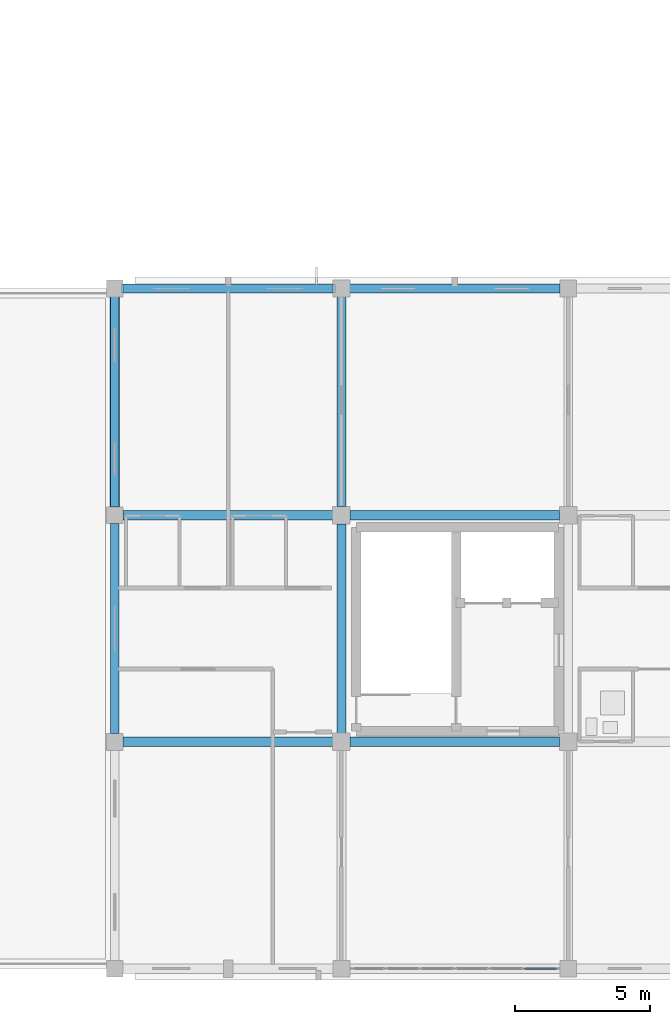
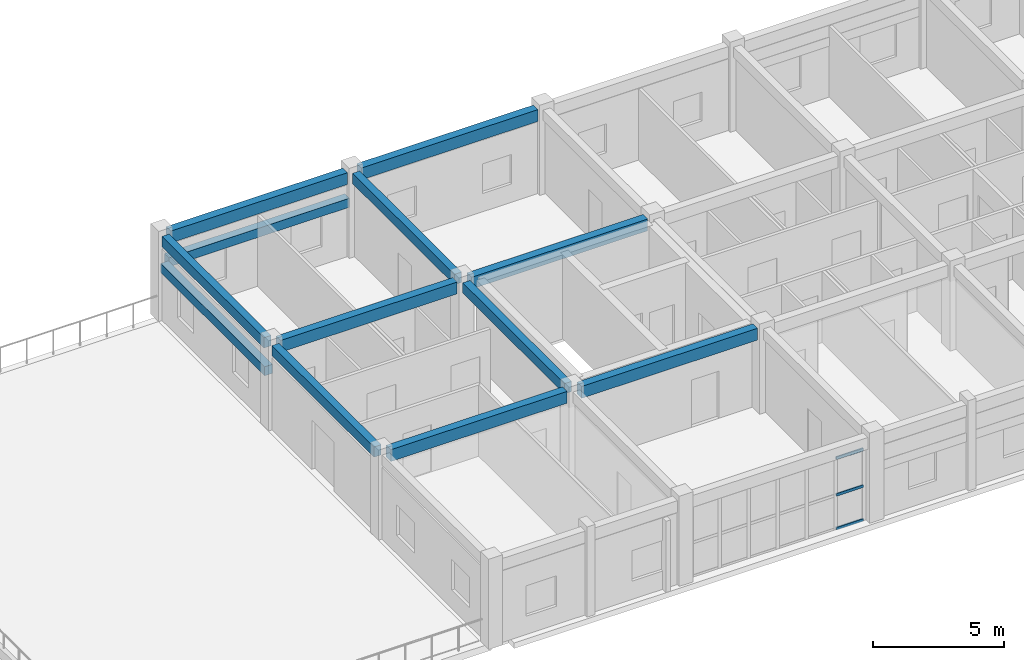
# One storey, part 11 of 81: 12 beams, 3 members, 1 element without a shape of its own.
"""IFC4 building model written with IfcOpenShell, lengths in metres."""

from ifc_helpers import new_model, si_unit, direction, frame, origin, origin_2d, place, context, subcontext, project, spatial, rectangle, hollow_rectangle, extrude, material, layer, layer_set, material_profile, profile_set, type_object, element, aggregate, save


model = new_model("IFC4")

# Units and contexts
model_context = context("Model", 3, precision=1e-05, world=origin(), true_north=direction((0.0, 1.0)))
body_context = subcontext(model_context, "Body", "Model", "MODEL_VIEW")
ifc_project = project(units=[si_unit("LENGTHUNIT", "METRE"), si_unit("AREAUNIT", "SQUARE_METRE"), si_unit("VOLUMEUNIT", "CUBIC_METRE"), si_unit("PLANEANGLEUNIT", "RADIAN"), si_unit("MASSUNIT", "GRAM", prefix="KILO")], contexts=[model_context])

# Site, building, storey
site_placement = place(None, origin())
site = spatial("IfcSite", under=ifc_project, at=site_placement, CompositionType="ELEMENT")
building_placement = place(site_placement, origin())
building = spatial("IfcBuilding", under=site, at=building_placement, Name="Trelvath General Hospital", CompositionType="ELEMENT")
storey_placement = place(building_placement, frame((0.0, 0.0, 24.60009765625)))
storey = spatial("IfcBuildingStorey", under=building, at=storey_placement, Name="L06", CompositionType="ELEMENT", Elevation=24.60009765625)

# Beams
ifc_material_1 = material(Name="Concrete C35/45", Category="concrete")
ifc_material_profile_1 = material_profile(ifc_material_1, rectangle(XDim=0.320068359375, YDim=0.47998046875, at=origin_2d()), Name="RCB320x480")
ifc_profile_set_1 = profile_set([ifc_material_profile_1], Name="Concrete C35/45")
beam_type_1 = type_object("IfcBeamType", Name="Beam RC320x480", PredefinedType="BEAM", material=ifc_profile_set_1)
for number, where, z_axis, x_axis, name in (
    (1, (33.60009765625, 8.705078125, 3.679931640625), (0.0, 1.0, 0.0), (-1.0, 0.0, 0.0), "Grid Beam BY-604B"),
    (2, (33.60009765625, 17.10498046875, 3.679931640625), (0.0, 1.0, 0.0), (-1.0, 0.0, 0.0), "Grid Beam BY-604C"),
):
    element("IfcBeam", number, at=place(storey_placement, frame(where, z_axis=z_axis, x_axis=x_axis)), inside=storey, type_object=beam_type_1, Name=name, PredefinedType="BEAM", context=body_context, shape_type="SweptSolid", body=[
        extrude(rectangle(XDim=0.320068359375, YDim=0.47998046875, at=origin_2d()), origin(), (0.0, 0.0, 1.0), 7.7900390625),
    ])
beam_1_placement = place(storey_placement, frame((42.0, 8.719970703125, 3.679931640625), z_axis=(0.0, 1.0, 0.0), x_axis=(-1.0, 0.0, 0.0)))
element("IfcBeam", 3, at=beam_1_placement, inside=storey, type_object=beam_type_1, Name="Grid Beam BY-605B", PredefinedType="BEAM", context=body_context, shape_type="SweptSolid", body=[
    extrude(rectangle(XDim=0.320068359375, YDim=0.47998046875, at=origin_2d()), origin(), (0.0, 0.0, 1.0), 7.760009765625),
])
beam_2_placement = place(storey_placement, frame((42.0, 17.1201171875, 3.679931640625), z_axis=(0.0, 1.0, 0.0), x_axis=(-1.0, 0.0, 0.0)))
element("IfcBeam", 4, at=beam_2_placement, inside=storey, type_object=beam_type_1, Name="Grid Beam BY-605C", PredefinedType="BEAM", context=body_context, shape_type="SweptSolid", body=[
    extrude(rectangle(XDim=0.320068359375, YDim=0.47998046875, at=origin_2d()), origin(), (0.0, 0.0, 1.0), 7.77490234375),
])
ifc_material_2 = material(Name="Concrete C35/45", Category="concrete")
ifc_material_profile_2 = material_profile(ifc_material_2, rectangle(XDim=0.35009765625, YDim=0.550048828125, at=origin_2d()), Name="RCB350x550")
ifc_profile_set_2 = profile_set([ifc_material_profile_2], Name="Concrete C35/45")
beam_type_2 = type_object("IfcBeamType", Name="Beam RC350x550", PredefinedType="BEAM", material=ifc_profile_set_2)
for number, where, z_axis, x_axis, name in (
    (5, (33.905029296875, 8.39990234375, 3.64501953125), (1.0, 0.0, 0.0), (0.0, 1.0, 0.0), "Grid Beam BX-604B"),
    (6, (33.905029296875, 16.800048828125, 3.64501953125), (1.0, 0.0, 0.0), (0.0, 1.0, 0.0), "Grid Beam BX-604C"),
):
    element("IfcBeam", number, at=place(storey_placement, frame(where, z_axis=z_axis, x_axis=x_axis)), inside=storey, type_object=beam_type_2, Name=name, PredefinedType="BEAM", context=body_context, shape_type="SweptSolid", body=[
        extrude(rectangle(XDim=0.35009765625, YDim=0.550048828125, at=origin_2d()), origin(), (0.0, 0.0, 1.0), 7.77490234375),
    ])
beam_3_placement = place(storey_placement, frame((33.905029296875, 25.199951171875, 3.64501953125), z_axis=(1.0, 0.0, 0.0), x_axis=(0.0, 1.0, 0.0)))
element("IfcBeam", 7, at=beam_3_placement, inside=storey, type_object=beam_type_2, Name="Grid Beam BX-604D", PredefinedType="BEAM", context=body_context, shape_type="SweptSolid", body=[
    extrude(rectangle(XDim=0.35009765625, YDim=0.550048828125, at=origin_2d()), origin(), (0.0, 0.0, 1.0), 7.7900390625),
])
for number, where, z_axis, x_axis, name in (
    (8, (42.320068359375, 8.39990234375, 3.64501953125), (1.0, 0.0, 0.0), (0.0, 1.0, 0.0), "Grid Beam BX-605B"),
    (9, (42.320068359375, 16.800048828125, 3.64501953125), (1.0, 0.0, 0.0), (0.0, 1.0, 0.0), "Grid Beam BX-605C"),
):
    element("IfcBeam", number, at=place(storey_placement, frame(where, z_axis=z_axis, x_axis=x_axis)), inside=storey, type_object=beam_type_2, Name=name, PredefinedType="BEAM", context=body_context, shape_type="SweptSolid", body=[
        extrude(rectangle(XDim=0.35009765625, YDim=0.550048828125, at=origin_2d()), origin(), (0.0, 0.0, 1.0), 7.760009765625),
    ])
beam_4_placement = place(storey_placement, frame((42.304931640625, 25.199951171875, 3.64501953125), z_axis=(1.0, 0.0, 0.0), x_axis=(0.0, 1.0, 0.0)))
element("IfcBeam", 10, at=beam_4_placement, inside=storey, type_object=beam_type_2, Name="Grid Beam BX-605D", PredefinedType="BEAM", context=body_context, shape_type="SweptSolid", body=[
    extrude(rectangle(XDim=0.35009765625, YDim=0.550048828125, at=origin_2d()), origin(), (0.0, 0.0, 1.0), 7.7900390625),
])

# Curtain wall, members
ifc_material_3 = material(Name="Anodised aluminium and low-E glass", Category="aluminium")
ifc_layer = layer(ifc_material_3, 0.14990234375)
ifc_layer_set = layer_set([ifc_layer], Name="Anodised aluminium and low-E glass")
curtain_wall_type = type_object("IfcCurtainWallType", Name="CW Facade 767 334 15", PredefinedType="USERDEFINED", material=ifc_layer_set)
curtain_wall_placement = place(storey_placement, origin())
curtain_wall = element("IfcCurtainWall", 11, at=curtain_wall_placement, inside=storey, type_object=curtain_wall_type, Name="Facade Curtain Wall CW-076", ObjectType="Unitised Glazed Curtain Wall", PredefinedType="USERDEFINED")
ifc_material_4 = material(Name="Anodised aluminium", Category="aluminium")
ifc_material_profile_3 = material_profile(ifc_material_4, hollow_rectangle(XDim=0.06005859375, YDim=0.125, WallThickness=0.00390625, at=origin_2d()), Name="RHS60x125x4")
ifc_profile_set_3 = profile_set([ifc_material_profile_3], Name="Anodised aluminium")
member_type = type_object("IfcMemberType", Name="CurtainTransom 60x125", PredefinedType="USERDEFINED", material=ifc_profile_set_3)
member_1_placement = place(storey_placement, frame((49.97509765625, 0.0, 0.02978515625), z_axis=(-1.0, 0.0, 0.0), x_axis=(0.0, -1.0, 0.0)))
member_1 = element("IfcMember", 12, at=member_1_placement, type_object=member_type, Name="CW-076 transom 1.1", ObjectType="TRANSOM", PredefinedType="USERDEFINED", context=body_context, shape_type="SweptSolid", body=[
    extrude(hollow_rectangle(XDim=0.06005859375, YDim=0.125, WallThickness=0.00390625, at=origin_2d()), origin(), (0.0, 0.0, 1.0), 1.1884765625),
])
member_2_placement = place(storey_placement, frame((49.97509765625, 0.0, 1.602783203125), z_axis=(-1.0, 0.0, 0.0), x_axis=(0.0, -1.0, 0.0)))
member_2 = element("IfcMember", 13, at=member_2_placement, type_object=member_type, Name="CW-076 transom 1.2", ObjectType="TRANSOM", PredefinedType="USERDEFINED", context=body_context, shape_type="SweptSolid", body=[
    extrude(hollow_rectangle(XDim=0.06005859375, YDim=0.125, WallThickness=0.00390625, at=origin_2d()), origin(), (0.0, 0.0, 1.0), 1.1884765625),
])
member_3_placement = place(storey_placement, frame((49.97509765625, 0.0, 3.309814453125), z_axis=(-1.0, 0.0, 0.0), x_axis=(0.0, -1.0, 0.0)))
member_3 = element("IfcMember", 14, at=member_3_placement, type_object=member_type, Name="CW-076 transom 1.3", ObjectType="TRANSOM", PredefinedType="USERDEFINED", context=body_context, shape_type="SweptSolid", body=[
    extrude(hollow_rectangle(XDim=0.06005859375, YDim=0.125, WallThickness=0.00390625, at=origin_2d()), origin(), (0.0, 0.0, 1.0), 1.1884765625),
])
aggregate(curtain_wall, [member_1, member_2, member_3])

# Beams
ifc_material_5 = material(Name="Precast concrete C40/50", Category="concrete")
ifc_material_profile_4 = material_profile(ifc_material_5, rectangle(XDim=0.35009765625, YDim=0.419921875, at=origin_2d()), Name="PCL350x420")
ifc_profile_set_4 = profile_set([ifc_material_profile_4], Name="Precast concrete C40/50")
beam_type_3 = type_object("IfcBeamType", Name="Lintel PC350x420", PredefinedType="LINTEL", material=ifc_profile_set_4)
beam_5_placement = place(storey_placement, frame((33.824951171875, 25.199951171875, 2.489990234375), z_axis=(1.0, 0.0, 0.0), x_axis=(0.0, 1.0, 0.0)))
element("IfcBeam", 15, at=beam_5_placement, inside=storey, type_object=beam_type_3, Name="Precast Window Brow Lintel L06-553", PredefinedType="LINTEL", context=body_context, shape_type="SweptSolid", body=[
    extrude(rectangle(XDim=0.35009765625, YDim=0.419921875, at=origin_2d()), origin(), (0.0, 0.0, 1.0), 7.949951171875),
])
beam_6_placement = place(storey_placement, frame((33.60009765625, 17.02490234375, 2.409912109375), z_axis=(0.0, 1.0, 0.0), x_axis=(-1.0, 0.0, 0.0)))
element("IfcBeam", 16, at=beam_6_placement, inside=storey, type_object=beam_type_3, Name="Precast Window Brow Lintel L06-554", PredefinedType="LINTEL", context=body_context, shape_type="SweptSolid", body=[
    extrude(rectangle(XDim=0.35009765625, YDim=0.419921875, at=origin_2d()), origin(), (0.0, 0.0, 1.0), 7.9501953125),
])

save(model, "model.ifc")
